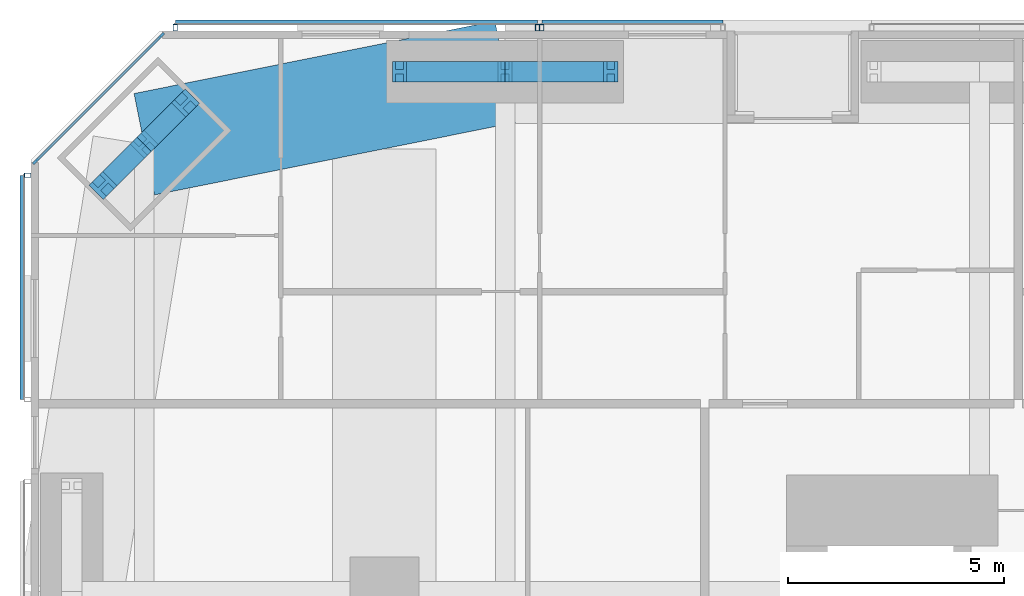
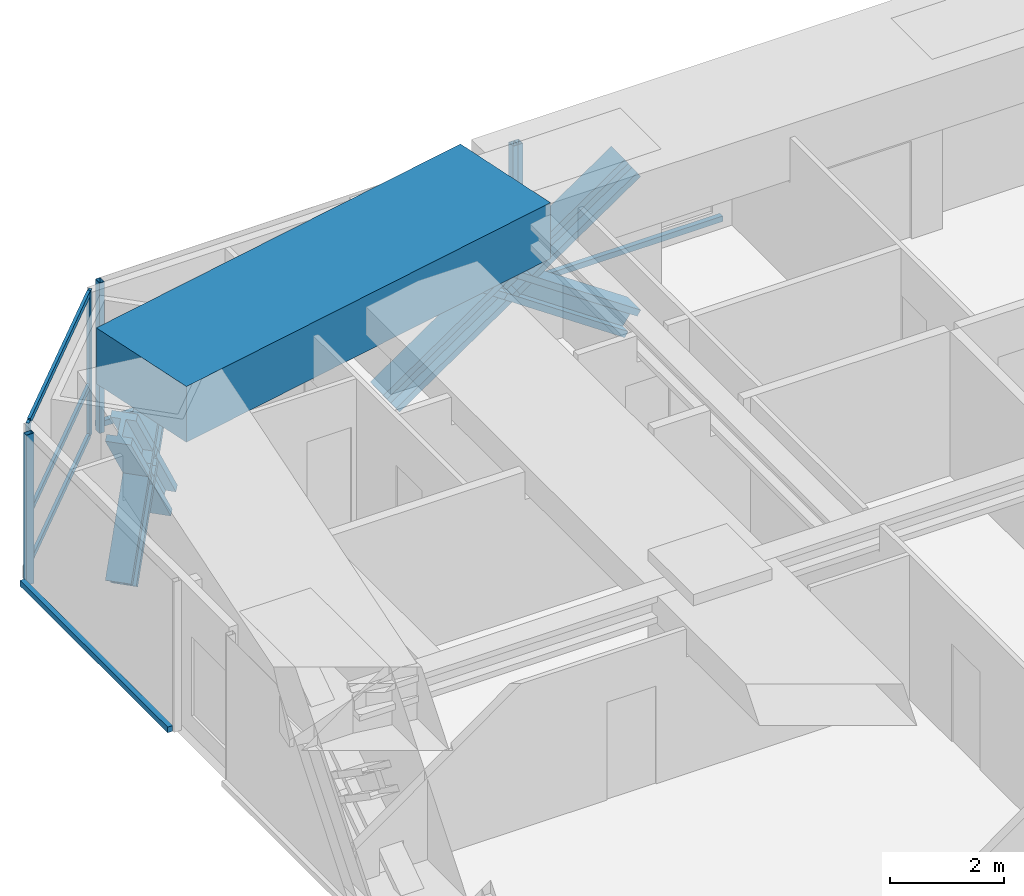
# One storey, part 10 of 22: 20 members, 1 beam, 4 elements without a shape of their own.
"""IFC4 building model written with IfcOpenShell, lengths in metres."""

from ifc_helpers import new_model, si_unit, direction, frame, origin, origin_2d, place, context, subcontext, project, spatial, rectangle, hollow_rectangle, i_section, extrude, material, material_profile, profile_set, type_object, element, aggregate, save


model = new_model("IFC4")

# Units and contexts
model_context = context("Model", 3, precision=1e-05, world=origin(), true_north=direction((0.0, 1.0)))
body_context = subcontext(model_context, "Body", "Model", "MODEL_VIEW")
ifc_project = project(units=[si_unit("LENGTHUNIT", "METRE"), si_unit("AREAUNIT", "SQUARE_METRE"), si_unit("VOLUMEUNIT", "CUBIC_METRE"), si_unit("PLANEANGLEUNIT", "RADIAN"), si_unit("MASSUNIT", "GRAM", prefix="KILO")], contexts=[model_context])

# Site, building, storey
site_placement = place(None, origin())
site = spatial("IfcSite", under=ifc_project, at=site_placement, CompositionType="ELEMENT")
building_placement = place(site_placement, origin())
building = spatial("IfcBuilding", under=site, at=building_placement, Name="Jalousie Tower", CompositionType="ELEMENT")
storey_placement = place(building_placement, frame((0.0, 0.0, 67.89990234375)))
storey = spatial("IfcBuildingStorey", under=building, at=storey_placement, Name="L18", CompositionType="ELEMENT", Elevation=67.89990234375)

# Curtain wall, members
ifc_material_1 = material(Name="Aluminium curtain wall", Category="aluminium")
curtain_wall_type_1 = type_object("IfcCurtainWallType", Name="CORNER WINDOW WALL", PredefinedType="USERDEFINED", material=ifc_material_1)
curtain_wall_1_placement = place(storey_placement, origin())
curtain_wall_1 = element("IfcCurtainWall", 1, at=curtain_wall_1_placement, inside=storey, type_object=curtain_wall_type_1, Name="Corner Window Wall L18 6", ObjectType="CORNER WINDOW WALL", PredefinedType="USERDEFINED")
ifc_material_2 = material(Name="Aluminium mullion", Category="aluminium")
ifc_material_profile_1 = material_profile(ifc_material_2, rectangle(XDim=0.06005859375, YDim=0.14990234375, at=origin_2d()), Name="MULLION 60x150")
ifc_profile_set_1 = profile_set([ifc_material_profile_1], Name="Aluminium mullion")
member_type_1 = type_object("IfcMemberType", Name="CORNER WINDOW WALL MULLION", PredefinedType="MULLION", material=ifc_profile_set_1)
member_1_placement = place(storey_placement, frame((5.030029296875, 37.891357421875, 0.0), z_axis=(0.0, 0.0, 1.0), x_axis=(0.707106781187, -0.707106781187, 0.0)))
member_1 = element("IfcMember", 2, at=member_1_placement, type_object=member_type_1, Name="CW-C mullion 1", PredefinedType="MULLION", context=body_context, shape_type="SweptSolid", body=[
    extrude(rectangle(XDim=0.06005859375, YDim=0.14990234375, at=origin_2d()), origin(), (0.0, 0.0, 1.0), 3.110107421875),
])
member_2_placement = place(storey_placement, frame((2.108642578125, 34.969970703125, 0.0), z_axis=(0.0, 0.0, 1.0), x_axis=(0.707106781187, -0.707106781187, 0.0)))
member_2 = element("IfcMember", 3, at=member_2_placement, type_object=member_type_1, Name="CW-C mullion 2", PredefinedType="MULLION", context=body_context, shape_type="SweptSolid", body=[
    extrude(rectangle(XDim=0.06005859375, YDim=0.14990234375, at=origin_2d()), origin(), (0.0, 0.0, 1.0), 3.110107421875),
])
ifc_material_3 = material(Name="Aluminium transom", Category="aluminium")
ifc_material_profile_2 = material_profile(ifc_material_3, rectangle(XDim=0.06005859375, YDim=0.1201171875, at=origin_2d()), Name="TRANSOM 60x120")
ifc_profile_set_2 = profile_set([ifc_material_profile_2], Name="Aluminium transom")
member_type_2 = type_object("IfcMemberType", Name="CORNER WINDOW WALL TRANSOM", PredefinedType="USERDEFINED", material=ifc_profile_set_2)
member_3_placement = place(storey_placement, frame((5.0087890625, 37.8701171875, 0.030029296875), z_axis=(-0.707106781187, -0.707106781187, 0.0), x_axis=(0.707106781187, -0.707106781187, 0.0)))
member_3 = element("IfcMember", 4, at=member_3_placement, type_object=member_type_2, Name="CW-C transom 1.1", ObjectType="TRANSOM", PredefinedType="USERDEFINED", context=body_context, shape_type="SweptSolid", body=[
    extrude(rectangle(XDim=0.06005859375, YDim=0.1201171875, at=origin_2d()), origin(), (0.0, 0.0, 1.0), 4.0712890625),
])
member_4_placement = place(storey_placement, frame((5.0087890625, 37.8701171875, 1.10009765625), z_axis=(-0.707106781187, -0.707106781187, 0.0), x_axis=(0.707106781187, -0.707106781187, 0.0)))
member_4 = element("IfcMember", 5, at=member_4_placement, type_object=member_type_2, Name="CW-C transom 1.2", ObjectType="TRANSOM", PredefinedType="USERDEFINED", context=body_context, shape_type="SweptSolid", body=[
    extrude(rectangle(XDim=0.06005859375, YDim=0.1201171875, at=origin_2d()), origin(), (0.0, 0.0, 1.0), 4.0712890625),
])
member_5_placement = place(storey_placement, frame((5.0087890625, 37.8701171875, 3.080078125), z_axis=(-0.707106781187, -0.707106781187, 0.0), x_axis=(0.707106781187, -0.707106781187, 0.0)))
member_5 = element("IfcMember", 6, at=member_5_placement, type_object=member_type_2, Name="CW-C transom 1.3", ObjectType="TRANSOM", PredefinedType="USERDEFINED", context=body_context, shape_type="SweptSolid", body=[
    extrude(rectangle(XDim=0.06005859375, YDim=0.1201171875, at=origin_2d()), origin(), (0.0, 0.0, 1.0), 4.0712890625),
])
aggregate(curtain_wall_1, [member_1, member_2, member_3, member_4, member_5])

# Members
ifc_material_4 = material(Name="Steel ASTM A992 Grade 50", Category="steel")
ifc_material_profile_3 = material_profile(ifc_material_4, i_section(OverallWidth=0.472412109375, OverallDepth=0.5791015625, WebThickness=0.094970703125, FlangeThickness=0.1298828125, at=origin_2d()), Name="W14X808")
ifc_profile_set_3 = profile_set([ifc_material_profile_3], Name="Steel ASTM A992 Grade 50")
member_type_3 = type_object("IfcMemberType", Name="PERIMETER BRACE W14X808", PredefinedType="BRACE", material=ifc_profile_set_3)
for number, where, z_axis, x_axis, name in (
    (7, (10.550048828125, 37.050048828125, -0.599853515625), (0.825500916831, 0.0, 0.564400776321), (0.0, 1.0, 0.0), "Perimeter brace 11 L18 part 1"),
    (8, (13.0, 37.050048828125, 1.0751953125), (0.825539243753, 0.0, 0.564344714713), (0.0, 1.0, 0.0), "Perimeter brace 11 L18 part 2"),
    (9, (15.449951171875, 37.050048828125, -0.599853515625), (-0.825500916831, 0.0, 0.564400776321), (0.0, -1.0, 0.0), "Perimeter brace 11 L18 part 3"),
    (10, (13.0, 37.050048828125, 1.0751953125), (-0.825539243753, 0.0, 0.564344714713), (0.0, -1.0, 0.0), "Perimeter brace 11 L18 part 4"),
):
    element("IfcMember", number, at=place(storey_placement, frame(where, z_axis=z_axis, x_axis=x_axis)), inside=storey, type_object=member_type_3, Name=name, PredefinedType="BRACE", context=body_context, shape_type="SweptSolid", body=[
        extrude(i_section(OverallWidth=0.472412109375, OverallDepth=0.5791015625, WebThickness=0.094970703125, FlangeThickness=0.1298828125, at=origin_2d()), origin(), (0.0, 0.0, 1.0), 2.9677734375),
    ])
member_6_placement = place(storey_placement, frame((5.5859375, 36.3232421875, -0.599853515625), z_axis=(-0.443718327034, -0.443718327034, 0.778606506849), x_axis=(0.707106781187, -0.707106781187, 0.0)))
element("IfcMember", 11, at=member_6_placement, inside=storey, type_object=member_type_3, Name="Perimeter brace 12 L18 part 1", PredefinedType="BRACE", context=body_context, shape_type="SweptSolid", body=[
    extrude(i_section(OverallWidth=0.472412109375, OverallDepth=0.5791015625, WebThickness=0.094970703125, FlangeThickness=0.1298828125, at=origin_2d()), origin(), (0.0, 0.0, 1.0), 2.1513671875),
])
member_7_placement = place(storey_placement, frame((4.63134765625, 35.36865234375, 1.0751953125), z_axis=(-0.443757535686, -0.443757535686, 0.778561814529), x_axis=(0.707106781187, -0.707106781187, 0.0)))
element("IfcMember", 12, at=member_7_placement, inside=storey, type_object=member_type_3, Name="Perimeter brace 12 L18 part 2", PredefinedType="BRACE", context=body_context, shape_type="SweptSolid", body=[
    extrude(i_section(OverallWidth=0.472412109375, OverallDepth=0.5791015625, WebThickness=0.094970703125, FlangeThickness=0.1298828125, at=origin_2d()), origin(), (0.0, 0.0, 1.0), 2.151123046875),
])
member_8_placement = place(storey_placement, frame((3.6767578125, 34.4140625, -0.599853515625), z_axis=(0.443718327034, 0.443718327034, 0.778606506849), x_axis=(-0.707106781187, 0.707106781187, 0.0)))
element("IfcMember", 13, at=member_8_placement, inside=storey, type_object=member_type_3, Name="Perimeter brace 12 L18 part 3", PredefinedType="BRACE", context=body_context, shape_type="SweptSolid", body=[
    extrude(i_section(OverallWidth=0.472412109375, OverallDepth=0.5791015625, WebThickness=0.094970703125, FlangeThickness=0.1298828125, at=origin_2d()), origin(), (0.0, 0.0, 1.0), 2.1513671875),
])
member_9_placement = place(storey_placement, frame((4.63134765625, 35.36865234375, 1.0751953125), z_axis=(0.443757535686, 0.443757535686, 0.778561814529), x_axis=(-0.707106781187, 0.707106781187, 0.0)))
element("IfcMember", 14, at=member_9_placement, inside=storey, type_object=member_type_3, Name="Perimeter brace 12 L18 part 4", PredefinedType="BRACE", context=body_context, shape_type="SweptSolid", body=[
    extrude(i_section(OverallWidth=0.472412109375, OverallDepth=0.5791015625, WebThickness=0.094970703125, FlangeThickness=0.1298828125, at=origin_2d()), origin(), (0.0, 0.0, 1.0), 2.151123046875),
])

# Beam
ifc_material_5 = material(Name="Concrete f'c 40 MPa", Category="concrete")
ifc_material_profile_4 = material_profile(ifc_material_5, rectangle(XDim=2.39990234375, YDim=1.199951171875, at=origin_2d()), Name="RC 2400x1200")
ifc_profile_set_4 = profile_set([ifc_material_profile_4], Name="Concrete f'c 40 MPa")
beam_type = type_object("IfcBeamType", Name="RC BEAM 2400x1200", PredefinedType="BEAM", material=ifc_profile_set_4)
beam_placement = place(storey_placement, frame((13.0, 37.050048828125, 2.75), z_axis=(-0.980407585444, -0.196979609107, 0.0), x_axis=(0.196979609107, -0.980407585444, 0.0)))
element("IfcBeam", 15, at=beam_placement, inside=storey, type_object=beam_type, Name="Edge band beam 11-12 under L19", PredefinedType="BEAM", context=body_context, shape_type="SweptSolid", body=[
    extrude(rectangle(XDim=2.39990234375, YDim=1.199951171875, at=origin_2d()), origin(), (0.0, 0.0, 1.0), 8.535888671875),
])

# Curtain wall, member
ifc_material_6 = material(Name="Perforated aluminium sheet", Category="aluminium")
curtain_wall_type_2 = type_object("IfcCurtainWallType", Name="SOLAR SCREEN SS-1", PredefinedType="USERDEFINED", material=ifc_material_6)
curtain_wall_2_placement = place(storey_placement, origin())
curtain_wall_2 = element("IfcCurtainWall", 16, at=curtain_wall_2_placement, inside=storey, type_object=curtain_wall_type_2, Name="Solar screen L18", ObjectType="SOLAR SCREEN SS-1", PredefinedType="USERDEFINED")
ifc_material_7 = material(Name="Steel ASTM A500 Grade C", Category="steel")
ifc_material_profile_5 = material_profile(ifc_material_7, hollow_rectangle(XDim=0.1015625, YDim=0.15234375, WallThickness=0.00634765625, at=origin_2d()), Name="HSS6X4X1/4")
ifc_profile_set_5 = profile_set([ifc_material_profile_5], Name="Steel ASTM A500 Grade C")
member_type_4 = type_object("IfcMemberType", Name="SOLAR SCREEN SS-1 MULLION", PredefinedType="MULLION", material=ifc_profile_set_5)
member_10_placement = place(storey_placement, frame((13.85009765625, 38.0712890625, -0.119873046875), z_axis=(0.0, 0.0, 1.0), x_axis=(-1.0, 0.0, 0.0)))
member_10 = element("IfcMember", 17, at=member_10_placement, type_object=member_type_4, Name="SS1 post 2", PredefinedType="MULLION", context=body_context, shape_type="SweptSolid", body=[
    extrude(hollow_rectangle(XDim=0.1015625, YDim=0.15234375, WallThickness=0.00634765625, at=origin_2d()), origin(), (0.0, 0.0, 1.0), 3.22998046875),
])

# Curtain wall, members
curtain_wall_3_placement = place(storey_placement, origin())
curtain_wall_3 = element("IfcCurtainWall", 18, at=curtain_wall_3_placement, inside=storey, type_object=curtain_wall_type_2, Name="Solar screen L18", ObjectType="SOLAR SCREEN SS-1", PredefinedType="USERDEFINED")
member_11_placement = place(storey_placement, frame((13.75, 38.0712890625, -0.119873046875), z_axis=(0.0, 0.0, 1.0), x_axis=(-1.0, 0.0, 0.0)))
member_11 = element("IfcMember", 19, at=member_11_placement, type_object=member_type_4, Name="SS1 post 1", PredefinedType="MULLION", context=body_context, shape_type="SweptSolid", body=[
    extrude(hollow_rectangle(XDim=0.1015625, YDim=0.15234375, WallThickness=0.00634765625, at=origin_2d()), origin(), (0.0, 0.0, 1.0), 3.22998046875),
])
member_12_placement = place(storey_placement, frame((5.351318359375, 38.0712890625, -0.119873046875), z_axis=(0.0, 0.0, 1.0), x_axis=(-1.0, 0.0, 0.0)))
member_12 = element("IfcMember", 20, at=member_12_placement, type_object=member_type_4, Name="SS1 post 2", PredefinedType="MULLION", context=body_context, shape_type="SweptSolid", body=[
    extrude(hollow_rectangle(XDim=0.1015625, YDim=0.15234375, WallThickness=0.00634765625, at=origin_2d()), origin(), (0.0, 0.0, 1.0), 3.22998046875),
])

# Curtain wall, member
curtain_wall_4_placement = place(storey_placement, origin())
curtain_wall_4 = element("IfcCurtainWall", 21, at=curtain_wall_4_placement, inside=storey, type_object=curtain_wall_type_2, Name="Solar screen L18", ObjectType="SOLAR SCREEN SS-1", PredefinedType="USERDEFINED")
member_13_placement = place(storey_placement, frame((1.9287109375, 34.648681640625, -0.119873046875), z_axis=(0.0, 0.0, 1.0), x_axis=(0.0, -1.0, 0.0)))
member_13 = element("IfcMember", 22, at=member_13_placement, type_object=member_type_4, Name="SS1 post 1", PredefinedType="MULLION", context=body_context, shape_type="SweptSolid", body=[
    extrude(hollow_rectangle(XDim=0.1015625, YDim=0.15234375, WallThickness=0.00634765625, at=origin_2d()), origin(), (0.0, 0.0, 1.0), 3.22998046875),
])

# Member
ifc_material_8 = material(Name="Extruded aluminium screen rail", Category="aluminium")
ifc_material_profile_6 = material_profile(ifc_material_8, rectangle(XDim=0.1015625, YDim=0.1201171875, at=origin_2d()), Name="RAIL 102x120")
ifc_profile_set_6 = profile_set([ifc_material_profile_6], Name="Extruded aluminium screen rail")
member_type_5 = type_object("IfcMemberType", Name="SOLAR SCREEN SS-1 TRANSOM", PredefinedType="USERDEFINED", material=ifc_profile_set_6)
member_14_placement = place(storey_placement, frame((18.050048828125, 38.1982421875, -0.059814453125), z_axis=(-1.0, 0.0, 0.0), x_axis=(0.0, -1.0, 0.0)))
member_14 = element("IfcMember", 23, at=member_14_placement, type_object=member_type_5, Name="SS1 rail", ObjectType="TRANSOM", PredefinedType="USERDEFINED", context=body_context, shape_type="SweptSolid", body=[
    extrude(rectangle(XDim=0.1015625, YDim=0.1201171875, at=origin_2d()), origin(), (0.0, 0.0, 1.0), 4.199951171875),
])

aggregate(curtain_wall_2, [member_10, member_14])

member_15_placement = place(storey_placement, frame((13.75, 38.1982421875, -0.059814453125), z_axis=(-1.0, 0.0, 0.0), x_axis=(0.0, -1.0, 0.0)))
member_15 = element("IfcMember", 24, at=member_15_placement, type_object=member_type_5, Name="SS1 rail", ObjectType="TRANSOM", PredefinedType="USERDEFINED", context=body_context, shape_type="SweptSolid", body=[
    extrude(rectangle(XDim=0.1015625, YDim=0.1201171875, at=origin_2d()), origin(), (0.0, 0.0, 1.0), 8.398681640625),
])

aggregate(curtain_wall_3, [member_11, member_12, member_15])

member_16_placement = place(storey_placement, frame((1.8017578125, 34.648681640625, -0.059814453125), z_axis=(0.0, -1.0, 0.0), x_axis=(1.0, 0.0, 0.0)))
member_16 = element("IfcMember", 25, at=member_16_placement, type_object=member_type_5, Name="SS1 rail", ObjectType="TRANSOM", PredefinedType="USERDEFINED", context=body_context, shape_type="SweptSolid", body=[
    extrude(rectangle(XDim=0.1015625, YDim=0.1201171875, at=origin_2d()), origin(), (0.0, 0.0, 1.0), 5.19873046875),
])

aggregate(curtain_wall_4, [member_13, member_16])

save(model, "model.ifc")
